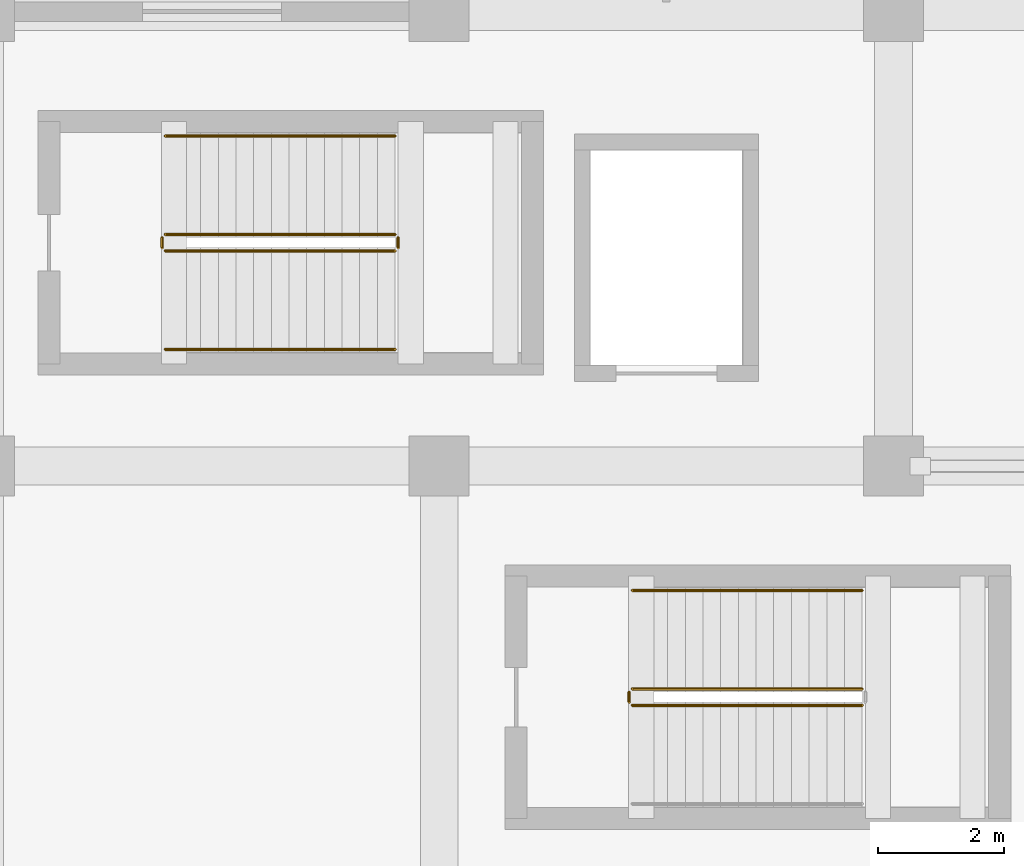
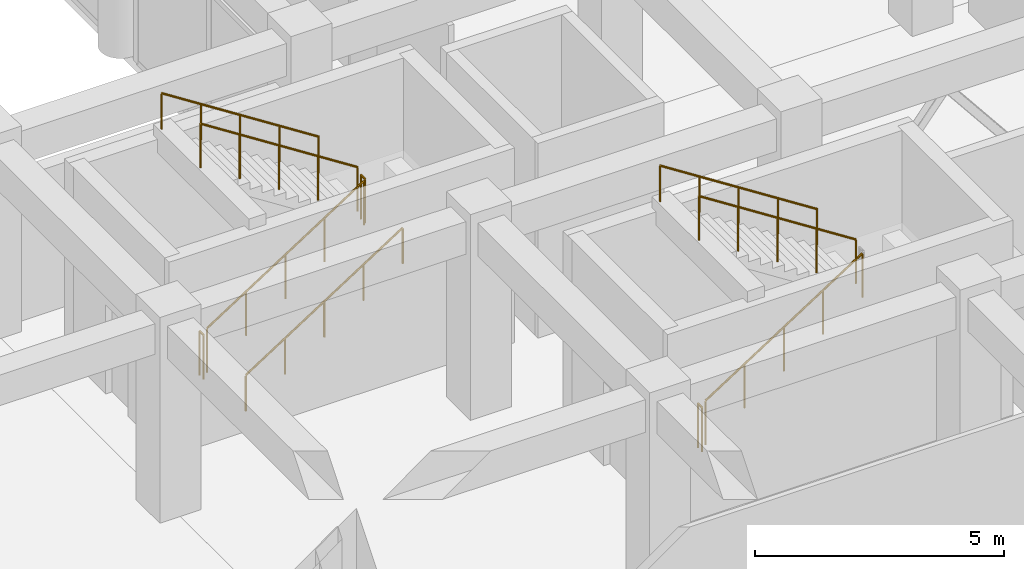
# One storey, part 48 of 54: 10 railings.
"""IFC4 building model written with IfcOpenShell, lengths in metres."""

from ifc_helpers import new_model, si_unit, direction, frame, origin, origin_2d, place, context, subcontext, project, spatial, circle, extrude, material, type_object, element, save


model = new_model("IFC4")

# Units and contexts
model_context = context("Model", 3, precision=1e-05, world=origin(), true_north=direction((0.0, 1.0)))
body_context = subcontext(model_context, "Body", "Model", "MODEL_VIEW")
ifc_project = project(units=[si_unit("LENGTHUNIT", "METRE"), si_unit("AREAUNIT", "SQUARE_METRE"), si_unit("VOLUMEUNIT", "CUBIC_METRE"), si_unit("PLANEANGLEUNIT", "RADIAN"), si_unit("MASSUNIT", "GRAM", prefix="KILO")], contexts=[model_context])

# Site, building, storey
site_placement = place(None, origin())
site = spatial("IfcSite", under=ifc_project, at=site_placement, CompositionType="ELEMENT")
building_placement = place(site_placement, origin())
building = spatial("IfcBuilding", under=site, at=building_placement, Name="Kazehaya Institute of Natural Sciences", CompositionType="ELEMENT")
storey_placement = place(building_placement, frame((0.0, 0.0, 5.39990234375)))
storey = spatial("IfcBuildingStorey", under=building, at=storey_placement, Name="L01", CompositionType="ELEMENT", Elevation=5.39990234375)

# Railings
ifc_material_1 = material(Name="Structural steel SN490B", Category="steel")
railing_type_1 = type_object("IfcRailingType", Name="RL-STAIR-GRD", PredefinedType="GUARDRAIL", material=ifc_material_1)
railing_1_placement = place(storey_placement, frame((64.860107421875, 24.610107421875, 0.18017578125)))
element("IfcRailing", 1, at=railing_1_placement, inside=storey, type_object=railing_type_1, Name="L01 ST-1 stair guard 1", PredefinedType="GUARDRAIL", context=body_context, shape_type="SweptSolid", body=[
    extrude(circle(Radius=0.02392578125, at=origin_2d()), frame((0.0, 0.0, 1.076171875), z_axis=(0.841187641198, 0.0, 0.540743333104), x_axis=(0.0, 1.0, 0.0)), (0.0, 0.0, 1.0), 4.3271484375),
    extrude(circle(Radius=0.02099609375, at=origin_2d()), origin(), (0.0, 0.0, 1.0), 1.052001953125),
    extrude(circle(Radius=0.02099609375, at=origin_2d()), frame((0.909912109375, 0.0, 0.5849609375)), (0.0, 0.0, 1.0), 1.052001953125),
    extrude(circle(Radius=0.02099609375, at=origin_2d()), frame((1.81982421875, 0.0, 1.169921875)), (0.0, 0.0, 1.0), 1.052001953125),
    extrude(circle(Radius=0.02099609375, at=origin_2d()), frame((2.72998046875, 0.0, 1.7548828125)), (0.0, 0.0, 1.0), 1.052001953125),
    extrude(circle(Radius=0.02099609375, at=origin_2d()), frame((3.639892578125, 0.0, 2.33984375)), (0.0, 0.0, 1.0), 1.052001953125),
])
railing_2_placement = place(storey_placement, frame((68.5, 24.8701171875, 2.7001953125)))
element("IfcRailing", 2, at=railing_2_placement, inside=storey, type_object=railing_type_1, Name="L01 ST-1 stair guard 3", PredefinedType="GUARDRAIL", context=body_context, shape_type="SweptSolid", body=[
    extrude(circle(Radius=0.02392578125, at=origin_2d()), frame((0.0, 0.0, 1.076171875), z_axis=(-0.841187641198, 0.0, 0.540743333104), x_axis=(0.0, -1.0, 0.0)), (0.0, 0.0, 1.0), 4.3271484375),
    extrude(circle(Radius=0.02099609375, at=origin_2d()), origin(), (0.0, 0.0, 1.0), 1.052001953125),
    extrude(circle(Radius=0.02099609375, at=origin_2d()), frame((-0.909912109375, 0.0, 0.5849609375)), (0.0, 0.0, 1.0), 1.052001953125),
    extrude(circle(Radius=0.02099609375, at=origin_2d()), frame((-1.81982421875, 0.0, 1.169921875)), (0.0, 0.0, 1.0), 1.052001953125),
    extrude(circle(Radius=0.02099609375, at=origin_2d()), frame((-2.72998046875, 0.0, 1.7548828125)), (0.0, 0.0, 1.0), 1.052001953125),
    extrude(circle(Radius=0.02099609375, at=origin_2d()), frame((-3.639892578125, 0.0, 2.33984375)), (0.0, 0.0, 1.0), 1.052001953125),
])
railing_3_placement = place(storey_placement, frame((64.81005859375, 24.659912109375, 0.0)))
element("IfcRailing", 3, at=railing_3_placement, inside=storey, type_object=railing_type_1, Name="L01 ST-1 stair guard 4", PredefinedType="GUARDRAIL", context=body_context, shape_type="SweptSolid", body=[
    extrude(circle(Radius=0.02392578125, at=origin_2d()), frame((0.0, 0.0, 1.076171875), z_axis=(0.0, 1.0, 0.0), x_axis=(-1.0, 0.0, 0.0)), (0.0, 0.0, 1.0), 0.16015625),
    extrude(circle(Radius=0.02099609375, at=origin_2d()), origin(), (0.0, 0.0, 1.0), 1.052001953125),
    extrude(circle(Radius=0.02099609375, at=origin_2d()), frame((0.0, 0.16015625, 0.0)), (0.0, 0.0, 1.0), 1.052001953125),
])
railing_4_placement = place(storey_placement, frame((57.4599609375, 31.81005859375, 0.18017578125)))
element("IfcRailing", 4, at=railing_4_placement, inside=storey, type_object=railing_type_1, Name="L01 ST-4 stair guard 1", PredefinedType="GUARDRAIL", context=body_context, shape_type="SweptSolid", body=[
    extrude(circle(Radius=0.02392578125, at=origin_2d()), frame((0.0, 0.0, 1.076171875), z_axis=(0.841204137849, 0.0, 0.540717669829), x_axis=(0.0, 1.0, 0.0)), (0.0, 0.0, 1.0), 4.327392578125),
    extrude(circle(Radius=0.02099609375, at=origin_2d()), origin(), (0.0, 0.0, 1.0), 1.052001953125),
    extrude(circle(Radius=0.02099609375, at=origin_2d()), frame((0.91015625, 0.0, 0.5849609375)), (0.0, 0.0, 1.0), 1.052001953125),
    extrude(circle(Radius=0.02099609375, at=origin_2d()), frame((1.820068359375, 0.0, 1.169921875)), (0.0, 0.0, 1.0), 1.052001953125),
    extrude(circle(Radius=0.02099609375, at=origin_2d()), frame((2.72998046875, 0.0, 1.7548828125)), (0.0, 0.0, 1.0), 1.052001953125),
    extrude(circle(Radius=0.02099609375, at=origin_2d()), frame((3.64013671875, 0.0, 2.33984375)), (0.0, 0.0, 1.0), 1.052001953125),
])
railing_5_placement = place(storey_placement, frame((61.14990234375, 31.860107421875, 2.52001953125)))
element("IfcRailing", 5, at=railing_5_placement, inside=storey, type_object=railing_type_1, Name="L01 ST-4 stair guard 2", PredefinedType="GUARDRAIL", context=body_context, shape_type="SweptSolid", body=[
    extrude(circle(Radius=0.02392578125, at=origin_2d()), frame((0.0, 0.0, 1.076171875), z_axis=(0.0, 1.0, 0.0), x_axis=(-1.0, 0.0, 0.0)), (0.0, 0.0, 1.0), 0.159912109375),
    extrude(circle(Radius=0.02099609375, at=origin_2d()), origin(), (0.0, 0.0, 1.0), 1.052001953125),
    extrude(circle(Radius=0.02099609375, at=origin_2d()), frame((0.0, 0.159912109375, 0.0)), (0.0, 0.0, 1.0), 1.052001953125),
])
railing_6_placement = place(storey_placement, frame((61.10009765625, 32.070068359375, 2.7001953125)))
element("IfcRailing", 6, at=railing_6_placement, inside=storey, type_object=railing_type_1, Name="L01 ST-4 stair guard 3", PredefinedType="GUARDRAIL", context=body_context, shape_type="SweptSolid", body=[
    extrude(circle(Radius=0.02392578125, at=origin_2d()), frame((0.0, 0.0, 1.076171875), z_axis=(-0.841204137849, 0.0, 0.540717669829), x_axis=(0.0, -1.0, 0.0)), (0.0, 0.0, 1.0), 4.327392578125),
    extrude(circle(Radius=0.02099609375, at=origin_2d()), origin(), (0.0, 0.0, 1.0), 1.052001953125),
    extrude(circle(Radius=0.02099609375, at=origin_2d()), frame((-0.91015625, 0.0, 0.5849609375)), (0.0, 0.0, 1.0), 1.052001953125),
    extrude(circle(Radius=0.02099609375, at=origin_2d()), frame((-1.820068359375, 0.0, 1.169921875)), (0.0, 0.0, 1.0), 1.052001953125),
    extrude(circle(Radius=0.02099609375, at=origin_2d()), frame((-2.72998046875, 0.0, 1.7548828125)), (0.0, 0.0, 1.0), 1.052001953125),
    extrude(circle(Radius=0.02099609375, at=origin_2d()), frame((-3.64013671875, 0.0, 2.33984375)), (0.0, 0.0, 1.0), 1.052001953125),
])
railing_7_placement = place(storey_placement, frame((57.409912109375, 31.860107421875, 0.0)))
element("IfcRailing", 7, at=railing_7_placement, inside=storey, type_object=railing_type_1, Name="L01 ST-4 stair guard 4", PredefinedType="GUARDRAIL", context=body_context, shape_type="SweptSolid", body=[
    extrude(circle(Radius=0.02392578125, at=origin_2d()), frame((0.0, 0.0, 1.076171875), z_axis=(0.0, 1.0, 0.0), x_axis=(-1.0, 0.0, 0.0)), (0.0, 0.0, 1.0), 0.159912109375),
    extrude(circle(Radius=0.02099609375, at=origin_2d()), origin(), (0.0, 0.0, 1.0), 1.052001953125),
    extrude(circle(Radius=0.02099609375, at=origin_2d()), frame((0.0, 0.159912109375, 0.0)), (0.0, 0.0, 1.0), 1.052001953125),
])
ifc_material_2 = material(Name="Brushed stainless steel handrail", Category="steel")
railing_type_2 = type_object("IfcRailingType", Name="RL-STAIR-HND", PredefinedType="HANDRAIL", material=ifc_material_2)
railing_8_placement = place(storey_placement, frame((68.5, 26.429931640625, 2.7001953125)))
element("IfcRailing", 8, at=railing_8_placement, inside=storey, type_object=railing_type_2, Name="L01 ST-1 stair handrail 2", PredefinedType="HANDRAIL", context=body_context, shape_type="SweptSolid", body=[
    extrude(circle(Radius=0.02392578125, at=origin_2d()), frame((0.0, 0.0, 0.8759765625), z_axis=(-0.841187641198, 0.0, 0.540743333104), x_axis=(0.0, -1.0, 0.0)), (0.0, 0.0, 1.0), 4.3271484375),
    extrude(circle(Radius=0.02099609375, at=origin_2d()), origin(), (0.0, 0.0, 1.0), 0.851806640625),
    extrude(circle(Radius=0.02099609375, at=origin_2d()), frame((-0.909912109375, 0.0, 0.5849609375)), (0.0, 0.0, 1.0), 0.851806640625),
    extrude(circle(Radius=0.02099609375, at=origin_2d()), frame((-1.81982421875, 0.0, 1.169921875)), (0.0, 0.0, 1.0), 0.851806640625),
    extrude(circle(Radius=0.02099609375, at=origin_2d()), frame((-2.72998046875, 0.0, 1.7548828125)), (0.0, 0.0, 1.0), 0.851806640625),
    extrude(circle(Radius=0.02099609375, at=origin_2d()), frame((-3.639892578125, 0.0, 2.33984375)), (0.0, 0.0, 1.0), 0.851806640625),
])
railing_9_placement = place(storey_placement, frame((57.4599609375, 30.25, 0.18017578125)))
element("IfcRailing", 9, at=railing_9_placement, inside=storey, type_object=railing_type_2, Name="L01 ST-4 stair handrail 1", PredefinedType="HANDRAIL", context=body_context, shape_type="SweptSolid", body=[
    extrude(circle(Radius=0.02392578125, at=origin_2d()), frame((0.0, 0.0, 0.8759765625), z_axis=(0.841204137849, 0.0, 0.540717669829), x_axis=(0.0, 1.0, 0.0)), (0.0, 0.0, 1.0), 4.327392578125),
    extrude(circle(Radius=0.02099609375, at=origin_2d()), origin(), (0.0, 0.0, 1.0), 0.851806640625),
    extrude(circle(Radius=0.02099609375, at=origin_2d()), frame((0.91015625, 0.0, 0.5849609375)), (0.0, 0.0, 1.0), 0.851806640625),
    extrude(circle(Radius=0.02099609375, at=origin_2d()), frame((1.820068359375, 0.0, 1.169921875)), (0.0, 0.0, 1.0), 0.851806640625),
    extrude(circle(Radius=0.02099609375, at=origin_2d()), frame((2.72998046875, 0.0, 1.7548828125)), (0.0, 0.0, 1.0), 0.851806640625),
    extrude(circle(Radius=0.02099609375, at=origin_2d()), frame((3.64013671875, 0.0, 2.33984375)), (0.0, 0.0, 1.0), 0.851806640625),
])
railing_10_placement = place(storey_placement, frame((61.10009765625, 33.6298828125, 2.7001953125)))
element("IfcRailing", 10, at=railing_10_placement, inside=storey, type_object=railing_type_2, Name="L01 ST-4 stair handrail 2", PredefinedType="HANDRAIL", context=body_context, shape_type="SweptSolid", body=[
    extrude(circle(Radius=0.02392578125, at=origin_2d()), frame((0.0, 0.0, 0.8759765625), z_axis=(-0.841204137849, 0.0, 0.540717669829), x_axis=(0.0, -1.0, 0.0)), (0.0, 0.0, 1.0), 4.327392578125),
    extrude(circle(Radius=0.02099609375, at=origin_2d()), origin(), (0.0, 0.0, 1.0), 0.851806640625),
    extrude(circle(Radius=0.02099609375, at=origin_2d()), frame((-0.91015625, 0.0, 0.5849609375)), (0.0, 0.0, 1.0), 0.851806640625),
    extrude(circle(Radius=0.02099609375, at=origin_2d()), frame((-1.820068359375, 0.0, 1.169921875)), (0.0, 0.0, 1.0), 0.851806640625),
    extrude(circle(Radius=0.02099609375, at=origin_2d()), frame((-2.72998046875, 0.0, 1.7548828125)), (0.0, 0.0, 1.0), 0.851806640625),
    extrude(circle(Radius=0.02099609375, at=origin_2d()), frame((-3.64013671875, 0.0, 2.33984375)), (0.0, 0.0, 1.0), 0.851806640625),
])

save(model, "model.ifc")
